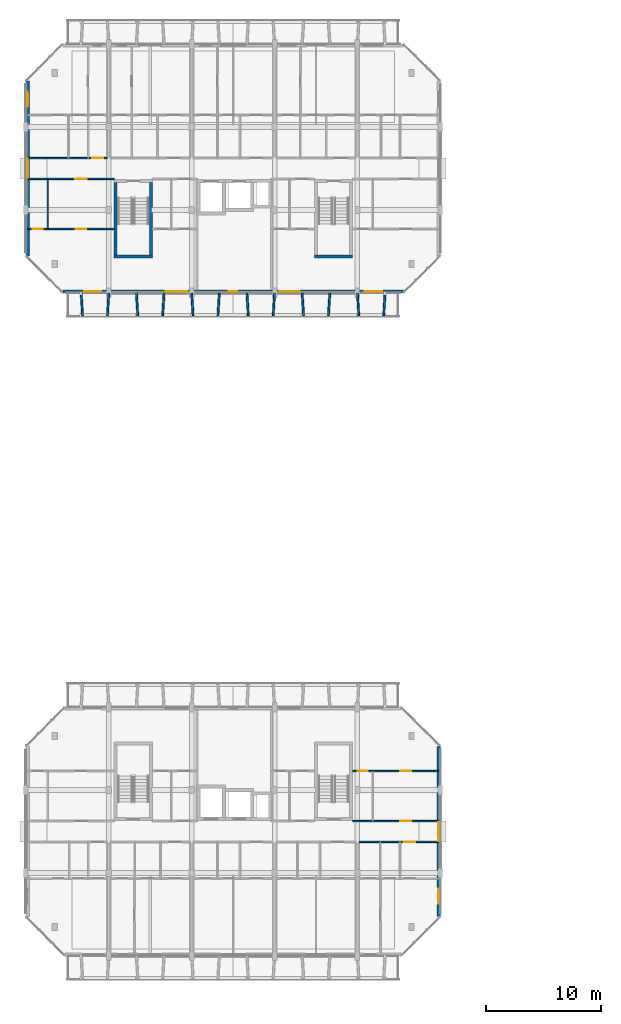
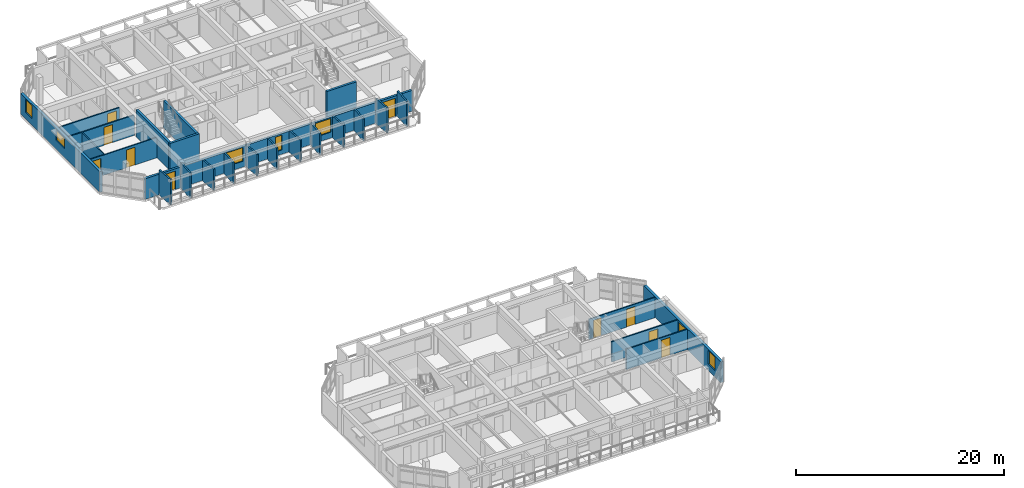
# One storey, part 18 of 44: 26 walls, 10 doors, 7 windows, 17 openings.
"""IFC4 building model written with IfcOpenShell, lengths in metres."""

from ifc_helpers import new_model, si_unit, direction, frame, frame_2d, origin, place, context, subcontext, project, spatial, rectangle, extrude, material, layer, layer_set, type_object, element, fill, save


model = new_model("IFC4")

# Units and contexts
model_context = context("Model", 3, precision=1e-05, world=origin(), true_north=direction((0.0, 1.0)))
body_context = subcontext(model_context, "Body", "Model", "MODEL_VIEW")
ifc_project = project(units=[si_unit("LENGTHUNIT", "METRE"), si_unit("AREAUNIT", "SQUARE_METRE"), si_unit("VOLUMEUNIT", "CUBIC_METRE"), si_unit("PLANEANGLEUNIT", "RADIAN"), si_unit("MASSUNIT", "GRAM", prefix="KILO")], contexts=[model_context])

# Site, building, storey
site_placement = place(None, origin())
site = spatial("IfcSite", under=ifc_project, at=site_placement, CompositionType="ELEMENT")
building_placement = place(site_placement, origin())
building = spatial("IfcBuilding", under=site, at=building_placement, Name="Ochrevale Crest", CompositionType="ELEMENT")
storey_placement = place(building_placement, frame((0.0, 0.0, 21.300048828125)))
storey = spatial("IfcBuildingStorey", under=building, at=storey_placement, Name="L06", CompositionType="ELEMENT", Elevation=21.300048828125)

# Wall, opening, door
ifc_material_1 = material(Name="Gypsum plasterboard", Category="gypsum")
ifc_layer_1 = layer(ifc_material_1, 0.139892578125)
ifc_layer_set_1 = layer_set([ifc_layer_1], Name="Gypsum plasterboard")
wall_type_1 = type_object("IfcWallType", Name="WL-COR-140", PredefinedType="PARTITIONING", material=ifc_layer_set_1)
wall_1_placement = place(storey_placement, frame((28.93994140625, 24.300048828125, 0.0), z_axis=(0.0, 0.0, 1.0), x_axis=(1.0, 0.0, 0.0)))
wall_1 = element("IfcWall", 1, at=wall_1_placement, inside=storey, type_object=wall_type_1, Name="Apartment A-L06-U5 corridor wall", PredefinedType="PARTITIONING", context=body_context, shape_type="SweptSolid", body=[
    extrude(rectangle(XDim=6.920166015625, YDim=0.139892578125, at=frame_2d((3.4599609375, 0.0))), origin(), (0.0, 0.0, 1.0), 2.3798828125),
])
opening_1_placement = place(wall_1_placement, frame((4.875, 0.0, 0.0), z_axis=(0.0, 0.0, 1.0), x_axis=(-1.0, 0.0, 0.0)))
opening_1 = element("IfcOpeningElement", 2, at=opening_1_placement, cuts=wall_1, Name="Opening FD01", PredefinedType="OPENING", context=body_context, shape_type="SweptSolid", body=[
    extrude(rectangle(XDim=0.97998046875, YDim=2.10009765625, at=frame_2d((0.489990234375, 1.050048828125))), frame((0.0, 0.080078125, 0.0), z_axis=(0.0, -1.0, 0.0), x_axis=(1.0, 0.0, 0.0)), (0.0, 0.0, 1.0), 0.159912109375),
])
ifc_material_2 = material(Name="Solid-core FSC hardwood", Category="wood")
door_type_1 = type_object("IfcDoorType", Name="DR-APT-950", OperationType="NOTDEFINED", PredefinedType="DOOR", material=ifc_material_2)
door_1_placement = place(opening_1_placement, origin())
door_1 = element("IfcDoor", 3, at=door_1_placement, inside=storey, type_object=door_type_1, Name="Apartment A-L06-U5 entrance door", OperationType="SINGLE_SWING_RIGHT", OverallHeight=2.10009765625, OverallWidth=0.97998046875, PredefinedType="DOOR", context=body_context, shape_type="SweptSolid", body=[
    extrude(rectangle(XDim=0.97998046875, YDim=2.10009765625, at=frame_2d((0.489990234375, 1.050048828125))), frame((0.0, 0.02490234375, 0.0), z_axis=(0.0, -1.0, 0.0), x_axis=(1.0, 0.0, 0.0)), (0.0, 0.0, 1.0), 0.050048828125),
])
fill(opening_1, door_1)

wall_2_placement = place(storey_placement, frame((28.389892578125, 26.10009765625, 0.0), z_axis=(0.0, 0.0, 1.0), x_axis=(1.0, 0.0, 0.0)))
wall_2 = element("IfcWall", 4, at=wall_2_placement, inside=storey, type_object=wall_type_1, Name="Suite A-L06-CE corridor wall", PredefinedType="PARTITIONING", context=body_context, shape_type="SweptSolid", body=[
    extrude(rectangle(XDim=7.47021484375, YDim=0.139892578125, at=frame_2d((3.735107421875, 0.0))), origin(), (0.0, 0.0, 1.0), 2.3798828125),
])
opening_2_placement = place(wall_2_placement, frame((5.10009765625, 0.0, 0.0), z_axis=(0.0, 0.0, 1.0), x_axis=(-1.0, 0.0, 0.0)))
opening_2 = element("IfcOpeningElement", 5, at=opening_2_placement, cuts=wall_2, Name="Opening FD01", PredefinedType="OPENING", context=body_context, shape_type="SweptSolid", body=[
    extrude(rectangle(XDim=0.97998046875, YDim=2.10009765625, at=frame_2d((0.489990234375, 1.050048828125))), frame((0.0, 0.080078125, 0.0), z_axis=(0.0, -1.0, 0.0), x_axis=(1.0, 0.0, 0.0)), (0.0, 0.0, 1.0), 0.159912109375),
])
door_2_placement = place(opening_2_placement, origin())
door_2 = element("IfcDoor", 6, at=door_2_placement, inside=storey, type_object=door_type_1, Name="Suite A-L06-CE entrance door", OperationType="SINGLE_SWING_RIGHT", OverallHeight=2.10009765625, OverallWidth=0.97998046875, PredefinedType="DOOR", context=body_context, shape_type="SweptSolid", body=[
    extrude(rectangle(XDim=0.97998046875, YDim=2.10009765625, at=frame_2d((0.489990234375, 1.050048828125))), frame((0.0, 0.02490234375, 0.0), z_axis=(0.0, -1.0, 0.0), x_axis=(1.0, 0.0, 0.0)), (0.0, 0.0, 1.0), 0.050048828125),
])
fill(opening_2, door_2)

wall_3_placement = place(storey_placement, frame((0.139892578125, 83.699951171875, 0.0), z_axis=(0.0, 0.0, 1.0), x_axis=(1.0, 0.0, 0.0)))
wall_3 = element("IfcWall", 7, at=wall_3_placement, inside=storey, type_object=wall_type_1, Name="Apartment B-L06-U1 corridor wall", PredefinedType="PARTITIONING", context=body_context, shape_type="SweptSolid", body=[
    extrude(rectangle(XDim=6.920166015625, YDim=0.139892578125, at=frame_2d((3.4599609375, 0.0))), origin(), (0.0, 0.0, 1.0), 2.3798828125),
])
opening_3_placement = place(wall_3_placement, frame((6.5849609375, 0.0, 0.0), z_axis=(0.0, 0.0, 1.0), x_axis=(-1.0, 0.0, 0.0)))
opening_3 = element("IfcOpeningElement", 8, at=opening_3_placement, cuts=wall_3, Name="Opening FD01", PredefinedType="OPENING", context=body_context, shape_type="SweptSolid", body=[
    extrude(rectangle(XDim=0.97998046875, YDim=2.10009765625, at=frame_2d((0.489990234375, 1.050048828125))), frame((0.0, 0.080078125, 0.0), z_axis=(0.0, -1.0, 0.0), x_axis=(1.0, 0.0, 0.0)), (0.0, 0.0, 1.0), 0.159912109375),
])
door_3_placement = place(opening_3_placement, origin())
door_3 = element("IfcDoor", 9, at=door_3_placement, inside=storey, type_object=door_type_1, Name="Apartment B-L06-U1 entrance door", OperationType="SINGLE_SWING_RIGHT", OverallHeight=2.10009765625, OverallWidth=0.97998046875, PredefinedType="DOOR", context=body_context, shape_type="SweptSolid", body=[
    extrude(rectangle(XDim=0.97998046875, YDim=2.10009765625, at=frame_2d((0.489990234375, 1.050048828125))), frame((0.0, 0.02490234375, 0.0), z_axis=(0.0, -1.0, 0.0), x_axis=(1.0, 0.0, 0.0)), (0.0, 0.0, 1.0), 0.050048828125),
])
fill(opening_3, door_3)

wall_4_placement = place(storey_placement, frame((0.139892578125, 81.89990234375, 0.0), z_axis=(0.0, 0.0, 1.0), x_axis=(1.0, 0.0, 0.0)))
wall_4 = element("IfcWall", 10, at=wall_4_placement, inside=storey, type_object=wall_type_1, Name="Suite B-L06-CW corridor wall", PredefinedType="PARTITIONING", context=body_context, shape_type="SweptSolid", body=[
    extrude(rectangle(XDim=7.52001953125, YDim=0.139892578125, at=frame_2d((3.760009765625, 0.0))), origin(), (0.0, 0.0, 1.0), 2.3798828125),
])
opening_4_placement = place(wall_4_placement, frame((5.125, 0.0, 0.0), z_axis=(0.0, 0.0, 1.0), x_axis=(-1.0, 0.0, 0.0)))
opening_4 = element("IfcOpeningElement", 11, at=opening_4_placement, cuts=wall_4, Name="Opening FD01", PredefinedType="OPENING", context=body_context, shape_type="SweptSolid", body=[
    extrude(rectangle(XDim=0.97998046875, YDim=2.10009765625, at=frame_2d((0.489990234375, 1.050048828125))), frame((0.0, 0.080078125, 0.0), z_axis=(0.0, -1.0, 0.0), x_axis=(1.0, 0.0, 0.0)), (0.0, 0.0, 1.0), 0.159912109375),
])
door_4_placement = place(opening_4_placement, origin())
door_4 = element("IfcDoor", 12, at=door_4_placement, inside=storey, type_object=door_type_1, Name="Suite B-L06-CW entrance door", OperationType="SINGLE_SWING_RIGHT", OverallHeight=2.10009765625, OverallWidth=0.97998046875, PredefinedType="DOOR", context=body_context, shape_type="SweptSolid", body=[
    extrude(rectangle(XDim=0.97998046875, YDim=2.10009765625, at=frame_2d((0.489990234375, 1.050048828125))), frame((0.0, 0.02490234375, 0.0), z_axis=(0.0, -1.0, 0.0), x_axis=(1.0, 0.0, 0.0)), (0.0, 0.0, 1.0), 0.050048828125),
])
fill(opening_4, door_4)

# Walls
ifc_material_3 = material(Name="Precast concrete C50/60", Category="concrete")
ifc_layer_2 = layer(ifc_material_3, 0.2548828125)
ifc_layer_set_2 = layer_set([ifc_layer_2], Name="Precast concrete C50/60")
wall_type_2 = type_object("IfcWallType", Name="WL-CORE-255", PredefinedType="SHEAR", material=ifc_layer_set_2)
wall_5_placement = place(storey_placement, frame((7.672607421875, 75.14990234375, 0.0), z_axis=(0.0, 0.0, 1.0), x_axis=(1.0, 0.0, 0.0)))
element("IfcWall", 13, at=wall_5_placement, inside=storey, type_object=wall_type_2, Name="Block B L06 Stair 1 precast core shear wall S", PredefinedType="SHEAR", context=body_context, shape_type="SweptSolid", body=[
    extrude(rectangle(XDim=3.304931640625, YDim=0.2548828125, at=frame_2d((1.65234375, 0.0))), origin(), (0.0, 0.0, 1.0), 3.14990234375),
])
for number, where, z_axis, x_axis, name in (
    (14, (7.800048828125, 75.277587890625, 0.0), (0.0, 0.0, 1.0), (0.0, 1.0, 0.0), "Block B L06 Stair 1 precast core shear wall W"),
    (15, (10.85009765625, 75.277587890625, 0.0), (0.0, 0.0, 1.0), (0.0, 1.0, 0.0), "Block B L06 Stair 1 precast core shear wall E"),
):
    element("IfcWall", number, at=place(storey_placement, frame(where, z_axis=z_axis, x_axis=x_axis)), inside=storey, type_object=wall_type_2, Name=name, PredefinedType="SHEAR", context=body_context, shape_type="SweptSolid", body=[
        extrude(rectangle(XDim=6.294921875, YDim=0.2548828125, at=frame_2d((3.1474609375, 0.0))), origin(), (0.0, 0.0, 1.0), 3.14990234375),
    ])
wall_6_placement = place(storey_placement, frame((25.072509765625, 75.14990234375, 0.0), z_axis=(0.0, 0.0, 1.0), x_axis=(1.0, 0.0, 0.0)))
element("IfcWall", 16, at=wall_6_placement, inside=storey, type_object=wall_type_2, Name="Block B L06 Stair 2 precast core shear wall S", PredefinedType="SHEAR", context=body_context, shape_type="SweptSolid", body=[
    extrude(rectangle(XDim=3.304931640625, YDim=0.2548828125, at=frame_2d((1.65234375, 0.0))), origin(), (0.0, 0.0, 1.0), 3.14990234375),
])

# Wall, openings, windows
ifc_material_4 = material(Name="Clay face brickwork", Category="masonry")
ifc_layer_3 = layer(ifc_material_4, 0.2900390625)
ifc_layer_set_3 = layer_set([ifc_layer_3], Name="Clay face brickwork")
wall_type_3 = type_object("IfcWallType", Name="WL-EXT-BRICK-290", PredefinedType="SOLIDWALL", material=ifc_layer_set_3)
wall_7_placement = place(storey_placement, frame((35.85498046875, 17.800048828125, 0.0), z_axis=(0.0, 0.0, 1.0), x_axis=(0.0, 1.0, 0.0)))
wall_7 = element("IfcWall", 17, at=wall_7_placement, inside=storey, type_object=wall_type_3, Name="Block A L06 external facade wall E3", PredefinedType="SOLIDWALL", context=body_context, shape_type="SweptSolid", body=[
    extrude(rectangle(XDim=14.800048828125, YDim=0.2900390625, at=frame_2d((7.39990234375, 0.0))), origin(), (0.0, 0.0, 1.0), 2.429931640625),
])
opening_5_placement = place(wall_7_placement, frame((6.574951171875, 0.0, 1.050048828125)))
opening_5 = element("IfcOpeningElement", 18, at=opening_5_placement, cuts=wall_7, Name="Opening W19", PredefinedType="OPENING", context=body_context, shape_type="SweptSolid", body=[
    extrude(rectangle(XDim=1.64990234375, YDim=1.14990234375, at=frame_2d((0.824951171875, 0.574951171875))), frame((0.0, 0.155029296875, 0.0), z_axis=(0.0, -1.0, 0.0), x_axis=(1.0, 0.0, 0.0)), (0.0, 0.0, 1.0), 0.31005859375),
])
opening_6_placement = place(wall_7_placement, frame((1.114990234375, 0.0, 0.75)))
opening_6 = element("IfcOpeningElement", 19, at=opening_6_placement, cuts=wall_7, Name="Opening W30", PredefinedType="OPENING", context=body_context, shape_type="SweptSolid", body=[
    extrude(rectangle(XDim=1.300048828125, YDim=1.550048828125, at=frame_2d((0.64990234375, 0.77490234375))), frame((0.0, 0.155029296875, 0.0), z_axis=(0.0, -1.0, 0.0), x_axis=(1.0, 0.0, 0.0)), (0.0, 0.0, 1.0), 0.31005859375),
])
ifc_material_5 = material(Name="Anodised aluminium 6063-T5 and low-E double glazing", Category="aluminium")
window_type_1 = type_object("IfcWindowType", Name="WIN-W19", PartitioningType="SINGLE_PANEL", PredefinedType="WINDOW", material=ifc_material_5)
window_1_placement = place(opening_5_placement, origin())
window_1 = element("IfcWindow", 20, at=window_1_placement, inside=storey, type_object=window_type_1, Name="Block A L06 corridor end daylight window E", OverallHeight=1.14990234375, OverallWidth=1.64990234375, PartitioningType="SINGLE_PANEL", PredefinedType="WINDOW", context=body_context, shape_type="SweptSolid", body=[
    extrude(rectangle(XDim=1.64990234375, YDim=1.14990234375, at=frame_2d((0.824951171875, 0.574951171875))), frame((0.0, 0.030029296875, 0.0), z_axis=(0.0, -1.0, 0.0), x_axis=(1.0, 0.0, 0.0)), (0.0, 0.0, 1.0), 0.06005859375),
])
fill(opening_5, window_1)
window_type_2 = type_object("IfcWindowType", Name="WIN-W30", PartitioningType="SINGLE_PANEL", PredefinedType="WINDOW", material=ifc_material_5)
window_2_placement = place(opening_6_placement, origin())
window_2 = element("IfcWindow", 21, at=window_2_placement, inside=storey, type_object=window_type_2, Name="Block A L06 side suite window E", OverallHeight=1.550048828125, OverallWidth=1.300048828125, PartitioningType="SINGLE_PANEL", PredefinedType="WINDOW", context=body_context, shape_type="SweptSolid", body=[
    extrude(rectangle(XDim=1.300048828125, YDim=1.550048828125, at=frame_2d((0.64990234375, 0.77490234375))), frame((0.0, 0.030029296875, 0.0), z_axis=(0.0, -1.0, 0.0), x_axis=(1.0, 0.0, 0.0)), (0.0, 0.0, 1.0), 0.06005859375),
])
fill(opening_6, window_2)

wall_8_placement = place(storey_placement, frame((0.14501953125, 90.39990234375, 0.0), z_axis=(0.0, 0.0, 1.0), x_axis=(0.0, -1.0, 0.0)))
wall_8 = element("IfcWall", 22, at=wall_8_placement, inside=storey, type_object=wall_type_3, Name="Block B L06 external facade wall E7", PredefinedType="SOLIDWALL", context=body_context, shape_type="SweptSolid", body=[
    extrude(rectangle(XDim=15.199951171875, YDim=0.2900390625, at=frame_2d((7.60009765625, 0.0))), origin(), (0.0, 0.0, 1.0), 2.429931640625),
])
opening_7_placement = place(wall_8_placement, frame((6.77490234375, 0.0, 1.050048828125)))
opening_7 = element("IfcOpeningElement", 23, at=opening_7_placement, cuts=wall_8, Name="Opening W19", PredefinedType="OPENING", context=body_context, shape_type="SweptSolid", body=[
    extrude(rectangle(XDim=1.64990234375, YDim=1.14990234375, at=frame_2d((0.824951171875, 0.574951171875))), frame((0.0, 0.155029296875, 0.0), z_axis=(0.0, -1.0, 0.0), x_axis=(1.0, 0.0, 0.0)), (0.0, 0.0, 1.0), 0.31005859375),
])
opening_8_placement = place(wall_8_placement, frame((0.93994140625, 0.0, 0.75)))
opening_8 = element("IfcOpeningElement", 24, at=opening_8_placement, cuts=wall_8, Name="Opening W30", PredefinedType="OPENING", context=body_context, shape_type="SweptSolid", body=[
    extrude(rectangle(XDim=1.300048828125, YDim=1.550048828125, at=frame_2d((0.64990234375, 0.77490234375))), frame((0.0, 0.155029296875, 0.0), z_axis=(0.0, -1.0, 0.0), x_axis=(1.0, 0.0, 0.0)), (0.0, 0.0, 1.0), 0.31005859375),
])
window_3_placement = place(opening_7_placement, origin())
window_3 = element("IfcWindow", 25, at=window_3_placement, inside=storey, type_object=window_type_1, Name="Block B L06 corridor end daylight window W", OverallHeight=1.14990234375, OverallWidth=1.64990234375, PartitioningType="SINGLE_PANEL", PredefinedType="WINDOW", context=body_context, shape_type="SweptSolid", body=[
    extrude(rectangle(XDim=1.64990234375, YDim=1.14990234375, at=frame_2d((0.824951171875, 0.574951171875))), frame((0.0, 0.030029296875, 0.0), z_axis=(0.0, -1.0, 0.0), x_axis=(1.0, 0.0, 0.0)), (0.0, 0.0, 1.0), 0.06005859375),
])
fill(opening_7, window_3)
window_4_placement = place(opening_8_placement, origin())
window_4 = element("IfcWindow", 26, at=window_4_placement, inside=storey, type_object=window_type_2, Name="Block B L06 side suite window W", OverallHeight=1.550048828125, OverallWidth=1.300048828125, PartitioningType="SINGLE_PANEL", PredefinedType="WINDOW", context=body_context, shape_type="SweptSolid", body=[
    extrude(rectangle(XDim=1.300048828125, YDim=1.550048828125, at=frame_2d((0.64990234375, 0.77490234375))), frame((0.0, 0.030029296875, 0.0), z_axis=(0.0, -1.0, 0.0), x_axis=(1.0, 0.0, 0.0)), (0.0, 0.0, 1.0), 0.06005859375),
])
fill(opening_8, window_4)

# Wall, openings, doors, windows
ifc_material_6 = material(Name="Precast concrete C40/50", Category="concrete")
ifc_layer_4 = layer(ifc_material_6, 0.25)
ifc_layer_set_4 = layer_set([ifc_layer_4], Name="Precast concrete C40/50")
wall_type_4 = type_object("IfcWallType", Name="WL-EXT-GOLD-250", PredefinedType="SOLIDWALL", material=ifc_layer_set_4)
wall_9_placement = place(storey_placement, frame((3.199951171875, 72.125, 0.0), z_axis=(0.0, 0.0, 1.0), x_axis=(1.0, 0.0, 0.0)))
wall_9 = element("IfcWall", 27, at=wall_9_placement, inside=storey, type_object=wall_type_4, Name="Block B L06 external facade wall E1", PredefinedType="SOLIDWALL", context=body_context, shape_type="SweptSolid", body=[
    extrude(rectangle(XDim=29.60009765625, YDim=0.25, at=frame_2d((14.800048828125, 0.0))), origin(), (0.0, 0.0, 1.0), 2.429931640625),
])
opening_9_placement = place(wall_9_placement, frame((3.35009765625, 0.0, 0.0), z_axis=(0.0, 0.0, 1.0), x_axis=(-1.0, 0.0, 0.0)))
opening_9 = element("IfcOpeningElement", 28, at=opening_9_placement, cuts=wall_9, Name="Opening BD01", PredefinedType="OPENING", context=body_context, shape_type="SweptSolid", body=[
    extrude(rectangle(XDim=1.5, YDim=2.14990234375, at=frame_2d((0.75, 1.074951171875))), frame((0.0, 0.135009765625, 0.0), z_axis=(0.0, -1.0, 0.0), x_axis=(1.0, 0.0, 0.0)), (0.0, 0.0, 1.0), 0.27001953125),
])
opening_10_placement = place(wall_9_placement, frame((27.75, 0.0, 0.0), z_axis=(0.0, 0.0, 1.0), x_axis=(-1.0, 0.0, 0.0)))
opening_10 = element("IfcOpeningElement", 29, at=opening_10_placement, cuts=wall_9, Name="Opening BD01", PredefinedType="OPENING", context=body_context, shape_type="SweptSolid", body=[
    extrude(rectangle(XDim=1.5, YDim=2.14990234375, at=frame_2d((0.75, 1.074951171875))), frame((0.0, 0.135009765625, 0.0), z_axis=(0.0, -1.0, 0.0), x_axis=(1.0, 0.0, 0.0)), (0.0, 0.0, 1.0), 0.27001953125),
])
opening_11_placement = place(wall_9_placement, frame((14.425048828125, 0.0, 0.5)))
opening_11 = element("IfcOpeningElement", 30, at=opening_11_placement, cuts=wall_9, Name="Opening W16", PredefinedType="OPENING", context=body_context, shape_type="SweptSolid", body=[
    extrude(rectangle(XDim=0.75, YDim=1.75, at=frame_2d((0.375, 0.875))), frame((0.0, 0.135009765625, 0.0), z_axis=(0.0, -1.0, 0.0), x_axis=(1.0, 0.0, 0.0)), (0.0, 0.0, 1.0), 0.27001953125),
])
opening_12_placement = place(wall_9_placement, frame((18.860107421875, 0.0, 0.699951171875)))
opening_12 = element("IfcOpeningElement", 31, at=opening_12_placement, cuts=wall_9, Name="Opening W10", PredefinedType="OPENING", context=body_context, shape_type="SweptSolid", body=[
    extrude(rectangle(XDim=1.719970703125, YDim=1.60009765625, at=frame_2d((0.85986328125, 0.800048828125))), frame((0.0, 0.135009765625, 0.0), z_axis=(0.0, -1.0, 0.0), x_axis=(1.0, 0.0, 0.0)), (0.0, 0.0, 1.0), 0.27001953125),
])
opening_13_placement = place(wall_9_placement, frame((8.949951171875, 0.0, 0.699951171875)))
opening_13 = element("IfcOpeningElement", 32, at=opening_13_placement, cuts=wall_9, Name="Opening W11", PredefinedType="OPENING", context=body_context, shape_type="SweptSolid", body=[
    extrude(rectangle(XDim=1.860107421875, YDim=1.60009765625, at=frame_2d((0.93017578125, 0.800048828125))), frame((0.0, 0.135009765625, 0.0), z_axis=(0.0, -1.0, 0.0), x_axis=(1.0, 0.0, 0.0)), (0.0, 0.0, 1.0), 0.27001953125),
])
ifc_material_7 = material(Name="Anodised aluminium 6063-T5 and toughened glass", Category="aluminium")
door_type_2 = type_object("IfcDoorType", Name="DR-BAL-1500", OperationType="NOTDEFINED", PredefinedType="DOOR", material=ifc_material_7)
door_5_placement = place(opening_9_placement, origin())
door_5 = element("IfcDoor", 33, at=door_5_placement, inside=storey, type_object=door_type_2, Name="Block B L06 balcony door S1", OperationType="SINGLE_SWING_RIGHT", OverallHeight=2.14990234375, OverallWidth=1.5, PredefinedType="DOOR", context=body_context, shape_type="SweptSolid", body=[
    extrude(rectangle(XDim=1.5, YDim=2.14990234375, at=frame_2d((0.75, 1.074951171875))), frame((0.0, 0.02490234375, 0.0), z_axis=(0.0, -1.0, 0.0), x_axis=(1.0, 0.0, 0.0)), (0.0, 0.0, 1.0), 0.050048828125),
])
fill(opening_9, door_5)
door_6_placement = place(opening_10_placement, origin())
door_6 = element("IfcDoor", 34, at=door_6_placement, inside=storey, type_object=door_type_2, Name="Block B L06 balcony door S5", OperationType="SINGLE_SWING_LEFT", OverallHeight=2.14990234375, OverallWidth=1.5, PredefinedType="DOOR", context=body_context, shape_type="SweptSolid", body=[
    extrude(rectangle(XDim=1.5, YDim=2.14990234375, at=frame_2d((0.75, 1.074951171875))), frame((0.0, 0.02490234375, 0.0), z_axis=(0.0, -1.0, 0.0), x_axis=(1.0, 0.0, 0.0)), (0.0, 0.0, 1.0), 0.050048828125),
])
fill(opening_10, door_6)
window_type_3 = type_object("IfcWindowType", Name="WIN-W10", PartitioningType="SINGLE_PANEL", PredefinedType="WINDOW", material=ifc_material_5)
window_5_placement = place(opening_12_placement, origin())
window_5 = element("IfcWindow", 35, at=window_5_placement, inside=storey, type_object=window_type_3, Name="Block B L06 Suite B-L06-ME Garden Alcove Studio window", OverallHeight=1.60009765625, OverallWidth=1.719970703125, PartitioningType="SINGLE_PANEL", PredefinedType="WINDOW", context=body_context, shape_type="SweptSolid", body=[
    extrude(rectangle(XDim=1.719970703125, YDim=1.60009765625, at=frame_2d((0.85986328125, 0.800048828125))), frame((0.0, 0.030029296875, 0.0), z_axis=(0.0, -1.0, 0.0), x_axis=(1.0, 0.0, 0.0)), (0.0, 0.0, 1.0), 0.06005859375),
])
fill(opening_12, window_5)
window_type_4 = type_object("IfcWindowType", Name="WIN-W11", PartitioningType="SINGLE_PANEL", PredefinedType="WINDOW", material=ifc_material_5)
window_6_placement = place(opening_13_placement, origin())
window_6 = element("IfcWindow", 36, at=window_6_placement, inside=storey, type_object=window_type_4, Name="Block B L06 Suite B-L06-MW Courtyard Studio Living window", OverallHeight=1.60009765625, OverallWidth=1.860107421875, PartitioningType="SINGLE_PANEL", PredefinedType="WINDOW", context=body_context, shape_type="SweptSolid", body=[
    extrude(rectangle(XDim=1.860107421875, YDim=1.60009765625, at=frame_2d((0.93017578125, 0.800048828125))), frame((0.0, 0.030029296875, 0.0), z_axis=(0.0, -1.0, 0.0), x_axis=(1.0, 0.0, 0.0)), (0.0, 0.0, 1.0), 0.06005859375),
])
fill(opening_13, window_6)
window_type_5 = type_object("IfcWindowType", Name="WIN-W16", PartitioningType="SINGLE_PANEL", PredefinedType="WINDOW", material=ifc_material_5)
window_7_placement = place(opening_11_placement, origin())
window_7 = element("IfcWindow", 37, at=window_7_placement, inside=storey, type_object=window_type_5, Name="Block B L06 core lancet window", OverallHeight=1.75, OverallWidth=0.75, PartitioningType="SINGLE_PANEL", PredefinedType="WINDOW", context=body_context, shape_type="SweptSolid", body=[
    extrude(rectangle(XDim=0.75, YDim=1.75, at=frame_2d((0.375, 0.875))), frame((0.0, 0.030029296875, 0.0), z_axis=(0.0, -1.0, 0.0), x_axis=(1.0, 0.0, 0.0)), (0.0, 0.0, 1.0), 0.06005859375),
])
fill(opening_11, window_7)

# Walls
ifc_layer_5 = layer(ifc_material_6, 0.1650390625)
ifc_layer_set_5 = layer_set([ifc_layer_5], Name="Precast concrete C40/50")
wall_type_5 = type_object("IfcWallType", Name="WL-HC-CHEEK-165", PredefinedType="ELEMENTEDWALL", material=ifc_layer_set_5)
for number, where, z_axis, x_axis, name in (
    (38, (4.800048828125, 71.97998046875, 0.0), (0.0, 0.0, 1.0), (0.061046865508, -0.998134900808, 0.0), "Block B L06 S precast honeycomb cheek 1"),
    (39, (7.199951171875, 71.97998046875, 0.0), (0.0, 0.0, 1.0), (-0.061046865508, -0.998134900808, 0.0), "Block B L06 S precast honeycomb cheek 2"),
):
    element("IfcWall", number, at=place(storey_placement, frame(where, z_axis=z_axis, x_axis=x_axis)), inside=storey, type_object=wall_type_5, Name=name, PredefinedType="ELEMENTEDWALL", context=body_context, shape_type="SweptSolid", body=[
        extrude(rectangle(XDim=1.963623046875, YDim=0.1650390625, at=frame_2d((0.98193359375, 0.0))), origin(), (0.0, 0.0, 1.0), 2.949951171875),
    ])
for number, where, z_axis, x_axis, name in (
    (40, (9.60009765625, 71.97998046875, 0.0), (0.0, 0.0, 1.0), (0.061046865508, -0.998134900808, 0.0), "Block B L06 S precast honeycomb cheek 3"),
    (41, (12.0, 71.97998046875, 0.0), (0.0, 0.0, 1.0), (-0.061170732449, -0.998127317276, 0.0), "Block B L06 S precast honeycomb cheek 4"),
):
    element("IfcWall", number, at=place(storey_placement, frame(where, z_axis=z_axis, x_axis=x_axis)), inside=storey, type_object=wall_type_5, Name=name, PredefinedType="ELEMENTEDWALL", context=body_context, shape_type="SweptSolid", body=[
        extrude(rectangle(XDim=1.963623046875, YDim=0.1650390625, at=frame_2d((0.98193359375, 0.0))), origin(), (0.0, 0.0, 1.0), 2.47998046875),
    ])
for number, where, z_axis, x_axis, name in (
    (42, (14.39990234375, 71.97998046875, 0.0), (0.0, 0.0, 1.0), (0.061170732449, -0.998127317276, 0.0), "Block B L06 S precast honeycomb cheek 5"),
    (43, (16.800048828125, 71.97998046875, 0.0), (0.0, 0.0, 1.0), (-0.061170732449, -0.998127317276, 0.0), "Block B L06 S precast honeycomb cheek 6"),
    (44, (19.199951171875, 71.97998046875, 0.0), (0.0, 0.0, 1.0), (0.061170732449, -0.998127317276, 0.0), "Block B L06 S precast honeycomb cheek 7"),
    (45, (21.60009765625, 71.97998046875, 0.0), (0.0, 0.0, 1.0), (-0.061170732449, -0.998127317276, 0.0), "Block B L06 S precast honeycomb cheek 8"),
):
    element("IfcWall", number, at=place(storey_placement, frame(where, z_axis=z_axis, x_axis=x_axis)), inside=storey, type_object=wall_type_5, Name=name, PredefinedType="ELEMENTEDWALL", context=body_context, shape_type="SweptSolid", body=[
        extrude(rectangle(XDim=1.963623046875, YDim=0.1650390625, at=frame_2d((0.98193359375, 0.0))), origin(), (0.0, 0.0, 1.0), 2.530029296875),
    ])
for number, where, z_axis, x_axis, name in (
    (46, (24.0, 71.97998046875, 0.0), (0.0, 0.0, 1.0), (0.061170732449, -0.998127317276, 0.0), "Block B L06 S precast honeycomb cheek 9"),
    (47, (26.39990234375, 71.97998046875, 0.0), (0.0, 0.0, 1.0), (-0.061046865508, -0.998134900808, 0.0), "Block B L06 S precast honeycomb cheek 10"),
):
    element("IfcWall", number, at=place(storey_placement, frame(where, z_axis=z_axis, x_axis=x_axis)), inside=storey, type_object=wall_type_5, Name=name, PredefinedType="ELEMENTEDWALL", context=body_context, shape_type="SweptSolid", body=[
        extrude(rectangle(XDim=1.963623046875, YDim=0.1650390625, at=frame_2d((0.98193359375, 0.0))), origin(), (0.0, 0.0, 1.0), 2.550048828125),
    ])
for number, where, z_axis, x_axis, name in (
    (48, (28.800048828125, 71.97998046875, 0.0), (0.0, 0.0, 1.0), (0.061046865508, -0.998134900808, 0.0), "Block B L06 S precast honeycomb cheek 11"),
    (49, (31.199951171875, 71.97998046875, 0.0), (0.0, 0.0, 1.0), (-0.061046865508, -0.998134900808, 0.0), "Block B L06 S precast honeycomb cheek 12"),
):
    element("IfcWall", number, at=place(storey_placement, frame(where, z_axis=z_axis, x_axis=x_axis)), inside=storey, type_object=wall_type_5, Name=name, PredefinedType="ELEMENTEDWALL", context=body_context, shape_type="SweptSolid", body=[
        extrude(rectangle(XDim=1.963623046875, YDim=0.1650390625, at=frame_2d((0.98193359375, 0.0))), origin(), (0.0, 0.0, 1.0), 2.949951171875),
    ])

# Wall, openings, doors
ifc_layer_6 = layer(ifc_material_1, 0.1201171875)
ifc_layer_set_6 = layer_set([ifc_layer_6], Name="Gypsum plasterboard")
wall_type_6 = type_object("IfcWallType", Name="WL-PART-120", PredefinedType="PARTITIONING", material=ifc_layer_set_6)
wall_10_placement = place(storey_placement, frame((28.389892578125, 30.449951171875, 0.0), z_axis=(0.0, 0.0, 1.0), x_axis=(1.0, 0.0, 0.0)))
wall_10 = element("IfcWall", 50, at=wall_10_placement, inside=storey, type_object=wall_type_6, Name="Suite A-L06-CE internal wall", PredefinedType="PARTITIONING", context=body_context, shape_type="SweptSolid", body=[
    extrude(rectangle(XDim=7.47021484375, YDim=0.1201171875, at=frame_2d((3.735107421875, 0.0))), origin(), (0.0, 0.0, 1.0), 2.3798828125),
])
opening_14_placement = place(wall_10_placement, frame((0.449951171875, 0.0, 0.0)))
opening_14 = element("IfcOpeningElement", 51, at=opening_14_placement, cuts=wall_10, Name="Opening ID01", PredefinedType="OPENING", context=body_context, shape_type="SweptSolid", body=[
    extrude(rectangle(XDim=0.85009765625, YDim=2.080078125, at=frame_2d((0.425048828125, 1.0400390625))), frame((0.0, 0.070068359375, 0.0), z_axis=(0.0, -1.0, 0.0), x_axis=(1.0, 0.0, 0.0)), (0.0, 0.0, 1.0), 0.14013671875),
])
opening_15_placement = place(wall_10_placement, frame((5.06982421875, 0.0, 0.0), z_axis=(0.0, 0.0, 1.0), x_axis=(-1.0, 0.0, 0.0)))
opening_15 = element("IfcOpeningElement", 52, at=opening_15_placement, cuts=wall_10, Name="Opening ID04", PredefinedType="OPENING", context=body_context, shape_type="SweptSolid", body=[
    extrude(rectangle(XDim=0.919921875, YDim=2.080078125, at=frame_2d((0.4599609375, 1.0400390625))), frame((0.0, 0.070068359375, 0.0), z_axis=(0.0, -1.0, 0.0), x_axis=(1.0, 0.0, 0.0)), (0.0, 0.0, 1.0), 0.14013671875),
])
door_type_3 = type_object("IfcDoorType", Name="DR-INT-920", OperationType="NOTDEFINED", PredefinedType="DOOR", material=ifc_material_2)
door_7_placement = place(opening_15_placement, origin())
door_7 = element("IfcDoor", 53, at=door_7_placement, inside=storey, type_object=door_type_3, Name="Suite A-L06-CE Master Bedroom door", OperationType="SINGLE_SWING_RIGHT", OverallHeight=2.080078125, OverallWidth=0.919921875, PredefinedType="DOOR", context=body_context, shape_type="SweptSolid", body=[
    extrude(rectangle(XDim=0.919921875, YDim=2.080078125, at=frame_2d((0.4599609375, 1.0400390625))), frame((0.0, 0.02490234375, 0.0), z_axis=(0.0, -1.0, 0.0), x_axis=(1.0, 0.0, 0.0)), (0.0, 0.0, 1.0), 0.050048828125),
])
fill(opening_15, door_7)
door_type_4 = type_object("IfcDoorType", Name="DR-WC-850", OperationType="NOTDEFINED", PredefinedType="DOOR", material=ifc_material_2)
door_8_placement = place(opening_14_placement, origin())
door_8 = element("IfcDoor", 54, at=door_8_placement, inside=storey, type_object=door_type_4, Name="Suite A-L06-CE Bathroom door", OperationType="SINGLE_SWING_LEFT", OverallHeight=2.080078125, OverallWidth=0.85009765625, PredefinedType="DOOR", context=body_context, shape_type="SweptSolid", body=[
    extrude(rectangle(XDim=0.85009765625, YDim=2.080078125, at=frame_2d((0.425048828125, 1.0400390625))), frame((0.0, 0.02490234375, 0.0), z_axis=(0.0, -1.0, 0.0), x_axis=(1.0, 0.0, 0.0)), (0.0, 0.0, 1.0), 0.050048828125),
])
fill(opening_14, door_8)

wall_11_placement = place(storey_placement, frame((0.139892578125, 77.550048828125, 0.0), z_axis=(0.0, 0.0, 1.0), x_axis=(1.0, 0.0, 0.0)))
wall_11 = element("IfcWall", 55, at=wall_11_placement, inside=storey, type_object=wall_type_6, Name="Suite B-L06-CW internal wall", PredefinedType="PARTITIONING", context=body_context, shape_type="SweptSolid", body=[
    extrude(rectangle(XDim=7.52001953125, YDim=0.1201171875, at=frame_2d((3.760009765625, 0.0))), origin(), (0.0, 0.0, 1.0), 2.3798828125),
])
opening_16_placement = place(wall_11_placement, frame((0.449951171875, 0.0, 0.0)))
opening_16 = element("IfcOpeningElement", 56, at=opening_16_placement, cuts=wall_11, Name="Opening ID01", PredefinedType="OPENING", context=body_context, shape_type="SweptSolid", body=[
    extrude(rectangle(XDim=0.85009765625, YDim=2.080078125, at=frame_2d((0.425048828125, 1.0400390625))), frame((0.0, 0.070068359375, 0.0), z_axis=(0.0, -1.0, 0.0), x_axis=(1.0, 0.0, 0.0)), (0.0, 0.0, 1.0), 0.14013671875),
])
opening_17_placement = place(wall_11_placement, frame((5.094970703125, 0.0, 0.0), z_axis=(0.0, 0.0, 1.0), x_axis=(-1.0, 0.0, 0.0)))
opening_17 = element("IfcOpeningElement", 57, at=opening_17_placement, cuts=wall_11, Name="Opening ID04", PredefinedType="OPENING", context=body_context, shape_type="SweptSolid", body=[
    extrude(rectangle(XDim=0.919921875, YDim=2.080078125, at=frame_2d((0.4599609375, 1.0400390625))), frame((0.0, 0.070068359375, 0.0), z_axis=(0.0, -1.0, 0.0), x_axis=(1.0, 0.0, 0.0)), (0.0, 0.0, 1.0), 0.14013671875),
])
door_9_placement = place(opening_17_placement, origin())
door_9 = element("IfcDoor", 58, at=door_9_placement, inside=storey, type_object=door_type_3, Name="Suite B-L06-CW Quiet Reading Room door", OperationType="SINGLE_SWING_RIGHT", OverallHeight=2.080078125, OverallWidth=0.919921875, PredefinedType="DOOR", context=body_context, shape_type="SweptSolid", body=[
    extrude(rectangle(XDim=0.919921875, YDim=2.080078125, at=frame_2d((0.4599609375, 1.0400390625))), frame((0.0, 0.02490234375, 0.0), z_axis=(0.0, -1.0, 0.0), x_axis=(1.0, 0.0, 0.0)), (0.0, 0.0, 1.0), 0.050048828125),
])
fill(opening_17, door_9)
door_10_placement = place(opening_16_placement, origin())
door_10 = element("IfcDoor", 59, at=door_10_placement, inside=storey, type_object=door_type_4, Name="Suite B-L06-CW Bathroom door", OperationType="SINGLE_SWING_LEFT", OverallHeight=2.080078125, OverallWidth=0.85009765625, PredefinedType="DOOR", context=body_context, shape_type="SweptSolid", body=[
    extrude(rectangle(XDim=0.85009765625, YDim=2.080078125, at=frame_2d((0.425048828125, 1.0400390625))), frame((0.0, 0.02490234375, 0.0), z_axis=(0.0, -1.0, 0.0), x_axis=(1.0, 0.0, 0.0)), (0.0, 0.0, 1.0), 0.050048828125),
])
fill(opening_16, door_10)

# Wall
ifc_layer_7 = layer(ifc_material_1, 0.10009765625)
ifc_layer_set_7 = layer_set([ifc_layer_7], Name="Gypsum plasterboard")
wall_type_7 = type_object("IfcWallType", Name="WL-WET-100", PredefinedType="PARTITIONING", material=ifc_layer_set_7)
wall_12_placement = place(storey_placement, frame((1.889892578125, 77.550048828125, 0.0), z_axis=(0.0, 0.0, 1.0), x_axis=(0.0, 1.0, 0.0)))
element("IfcWall", 60, at=wall_12_placement, inside=storey, type_object=wall_type_7, Name="Suite B-L06-CW bathroom divider", PredefinedType="PARTITIONING", context=body_context, shape_type="SweptSolid", body=[
    extrude(rectangle(XDim=4.349853515625, YDim=0.10009765625, at=frame_2d((2.1748046875, 0.0))), origin(), (0.0, 0.0, 1.0), 2.3798828125),
])

save(model, "model.ifc")
